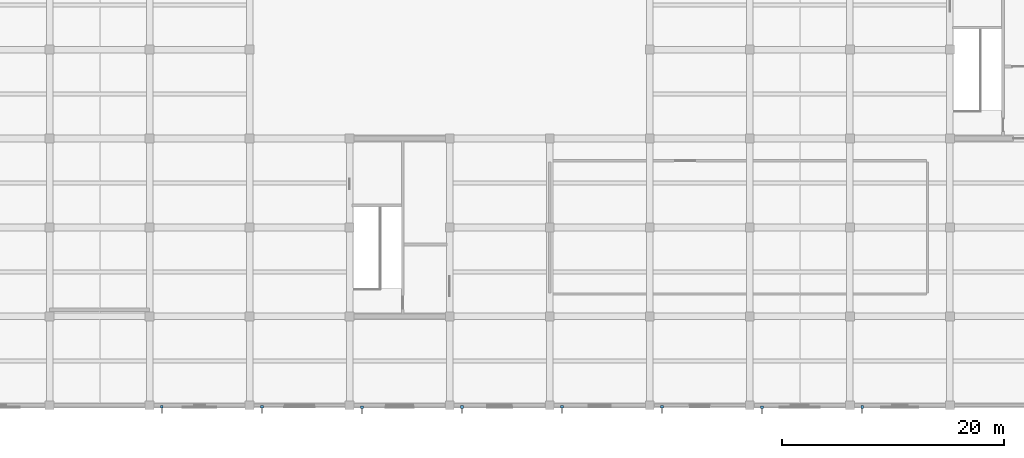
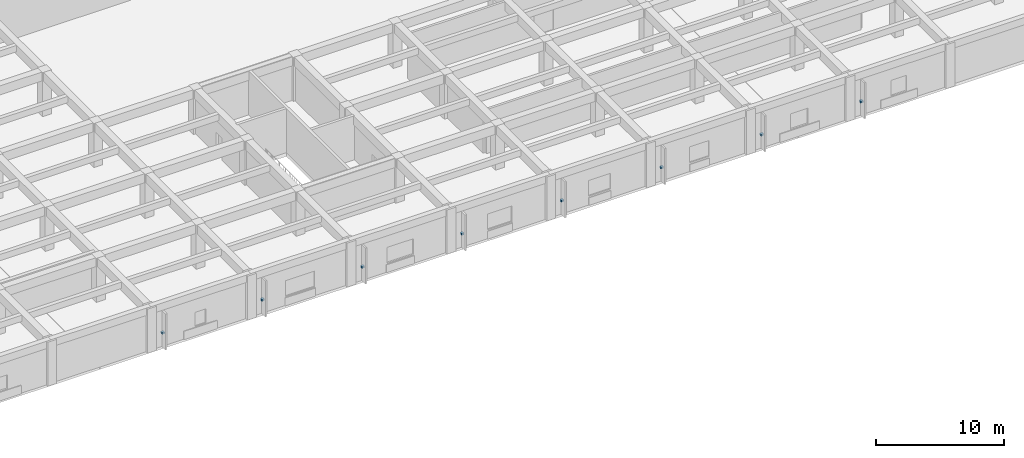
# One storey, part 22 of 32: 8 discrete accessories.
"""IFC4 building model written with IfcOpenShell, lengths in metres."""

import ifcopenshell
import ifcopenshell.guid

model = None  # the IFC model being written
_history = None  # IfcOwnerHistory: only IFC2X3 demands one
_inside = {}  # id of a spatial element -> (the spatial element, [elements in it])
_under = {}  # id of a project, library or spatial element -> (it, [spatial elements below it])
_declared = {}  # id of a project -> (the project, [libraries it declares])
_typed = {}  # id of a type object -> (the type object, [elements of that type])
_made_of = {}  # id of a material, layer set ... -> (it, [elements and type objects made of it])


def new_model(schema):
    """Start an empty IFC model of exactly this schema.

    Asked for "IFC4X3", IfcOpenShell would pick the latest addendum, in which some entities
    have other attributes; the version numbers below select the first issue.
    IFC2X3 requires an IfcOwnerHistory on every rooted entity: one is made here for all.
    """
    global model, _history
    if schema == "IFC4X3":
        model = ifcopenshell.file(schema_version=(4, 3, 0, 0))
    else:
        model = ifcopenshell.file(schema=schema)
    _inside.clear()
    _under.clear()
    _declared.clear()
    _typed.clear()
    _made_of.clear()
    _history = None
    if model.schema == "IFC2X3":
        org = make("IfcOrganization", Name="unknown")
        user = make(
            "IfcPersonAndOrganization",
            ThePerson=make("IfcPerson", FamilyName="unknown"),
            TheOrganization=org,
        )
        app = make(
            "IfcApplication",
            ApplicationDeveloper=org,
            Version="unknown",
            ApplicationFullName="unknown",
            ApplicationIdentifier="unknown",
        )
        _history = make(
            "IfcOwnerHistory",
            OwningUser=user,
            OwningApplication=app,
            ChangeAction="ADDED",
            CreationDate=0,
        )
    return model


def make(cls, **values):
    """One entity of the class cls with the attributes given. An attribute that is None is left unset."""
    return model.create_entity(
        cls, **{name: value for name, value in values.items() if value is not None}
    )


def rooted(cls, **values):
    """An entity with a GlobalId (a new one), such as an element, a storey or a relation."""
    return make(cls, GlobalId=ifcopenshell.guid.new(), OwnerHistory=_history, **values)


def si_unit(unit_type, name, prefix=None):
    """IfcSIUnit, for example si_unit("LENGTHUNIT", "METRE", prefix="MILLI")."""
    return make("IfcSIUnit", UnitType=unit_type, Prefix=prefix, Name=name)


def assignment(units):
    """IfcUnitAssignment: the units of a project."""
    return None if units is None else make("IfcUnitAssignment", Units=units)


def point(xyz):
    """IfcCartesianPoint."""
    return None if xyz is None else make("IfcCartesianPoint", Coordinates=xyz)


def direction(xyz):
    """IfcDirection."""
    return None if xyz is None else make("IfcDirection", DirectionRatios=xyz)


def frame(location, z_axis=None, x_axis=None):
    """IfcAxis2Placement3D, a coordinate frame: its origin and axes. An axis left out is left unset."""
    return make(
        "IfcAxis2Placement3D",
        Location=point(location),
        Axis=direction(z_axis),
        RefDirection=direction(x_axis),
    )


def frame_2d(location, x_axis=None):
    """IfcAxis2Placement2D, a coordinate frame in the plane: its origin and x axis."""
    return make(
        "IfcAxis2Placement2D", Location=point(location), RefDirection=direction(x_axis)
    )


def origin():
    """The frame at (0, 0, 0) with its axes left unset."""
    return frame((0.0, 0.0, 0.0))


def origin_2d():
    """The frame at (0, 0) in the plane with its x axis left unset."""
    return frame_2d((0.0, 0.0))


def place(relative_to, where):
    """IfcLocalPlacement: puts the frame where relative to a parent placement (None: the world)."""
    return make(
        "IfcLocalPlacement", PlacementRelTo=relative_to, RelativePlacement=where
    )


def context(
    kind, dimensions, precision=None, world=None, true_north=None, identifier=None
):
    """IfcGeometricRepresentationContext, for example the 3D "Model" context."""
    return make(
        "IfcGeometricRepresentationContext",
        ContextIdentifier=identifier,
        ContextType=kind,
        CoordinateSpaceDimension=dimensions,
        Precision=precision,
        WorldCoordinateSystem=world,
        TrueNorth=true_north,
    )


def subcontext(parent, identifier, kind, view, scale=None):
    """IfcGeometricRepresentationSubContext, for example "Body" below "Model"."""
    return make(
        "IfcGeometricRepresentationSubContext",
        ContextIdentifier=identifier,
        ContextType=kind,
        ParentContext=parent,
        TargetScale=scale,
        TargetView=view,
    )


def project(units=None, contexts=None):
    """IfcProject with its units and contexts."""
    return rooted(
        "IfcProject",
        Name="project",
        RepresentationContexts=contexts,
        UnitsInContext=assignment(units),
    )


def spatial(cls, under=None, at=None, **own):
    """A site, building, storey or space (cls), placed at a placement, below another one or the project."""
    s = rooted(cls, ObjectPlacement=at, **own)
    if under is not None:
        _under.setdefault(under.id(), (under, []))[1].append(s)
    return s


def profile(cls, at=None, kind="AREA", **sizes):
    """A parametric profile (cls). Its sizes go by their IFC names, for example OverallWidth=200.0."""
    return make(cls, ProfileType=kind, Position=at, **sizes)


def rectangle(**sizes):
    """IfcRectangleProfileDef."""
    return profile("IfcRectangleProfileDef", **sizes)


def extrude(swept, where, along, depth):
    """IfcExtrudedAreaSolid: the profile swept, set in the frame where, extruded along a direction by depth."""
    return make(
        "IfcExtrudedAreaSolid",
        SweptArea=swept,
        Position=where,
        ExtrudedDirection=direction(along),
        Depth=depth,
    )


def shape(context_of_items, identifier, shape_type, items):
    """IfcShapeRepresentation: the items that make up one representation, for example the "Body"."""
    return make(
        "IfcShapeRepresentation",
        ContextOfItems=context_of_items,
        RepresentationIdentifier=identifier,
        RepresentationType=shape_type,
        Items=items,
    )


def material(Name=None, Category=None):
    """IfcMaterial."""
    return make("IfcMaterial", Name=Name, Category=Category)


def layer(
    of_material, thickness, ventilated=None, Name=None, Category=None, Priority=None
):
    """IfcMaterialLayer: one layer of a wall or slab, of a material (None: an air gap)."""
    return make(
        "IfcMaterialLayer",
        Material=of_material,
        LayerThickness=thickness,
        IsVentilated=ventilated,
        Name=Name,
        Category=Category,
        Priority=Priority,
    )


def layer_set(layers, Name=None):
    """IfcMaterialLayerSet."""
    return make("IfcMaterialLayerSet", MaterialLayers=layers, LayerSetName=Name)


def made_of(thing, what):
    """Note that an element or type object is made of a material, layer set ...; save() writes the relation."""
    if what is not None:
        _made_of.setdefault(what.id(), (what, []))[1].append(thing)
    return thing


def type_object(cls, material=None, **own):
    """A type object (cls), such as IfcWallType, which elements share."""
    return made_of(rooted(cls, **own), material)


def element(
    cls,
    number,
    at=None,
    inside=None,
    cuts=None,
    type_object=None,
    material=None,
    context=None,
    identifier="Body",
    shape_type=None,
    held_by="IfcProductDefinitionShape",
    body=None,
    shapes=None,
    **own,
):
    """One element of the class cls, such as IfcWall. Its Tag is "e" and its number.

    at: its placement. inside: the storey or other place that contains it. cuts: it is an
    opening in that element (IfcRelVoidsElement). A single representation is given by context,
    identifier, shape_type and body (its items); several are given by shapes. held_by: the class
    of the entity that holds the representations. save() writes the other relations.
    """
    e = rooted(cls, Tag="e%d" % number, ObjectPlacement=at, **own)
    if body is not None:
        shapes = [shape(context, identifier, shape_type, body)]
    if shapes is not None:
        e.Representation = make(held_by, Representations=shapes)
    if inside is not None:
        _inside.setdefault(inside.id(), (inside, []))[1].append(e)
    if cuts is not None:
        rooted(
            "IfcRelVoidsElement", RelatingBuildingElement=cuts, RelatedOpeningElement=e
        )
    if type_object is not None:
        _typed.setdefault(type_object.id(), (type_object, []))[1].append(e)
    return made_of(e, material)


def aggregate(whole, parts):
    """IfcRelAggregates: a whole, such as a stair, and the parts it consists of."""
    return rooted("IfcRelAggregates", RelatingObject=whole, RelatedObjects=parts)


def save(model, path):
    """Write the relations noted so far, then the file.

    IfcRelAggregates (storeys below a building ...), IfcRelContainedInSpatialStructure (elements
    in a storey), IfcRelDefinesByType, IfcRelAssociatesMaterial and IfcRelDeclares: one each for
    every whole, place, type object, material and project.
    """
    for whole, parts in _under.values():
        aggregate(whole, parts)
    for where, things in _inside.values():
        rooted(
            "IfcRelContainedInSpatialStructure",
            RelatedElements=things,
            RelatingStructure=where,
        )
    for kind, things in _typed.values():
        rooted("IfcRelDefinesByType", RelatedObjects=things, RelatingType=kind)
    for what, things in _made_of.values():
        rooted("IfcRelAssociatesMaterial", RelatedObjects=things, RelatingMaterial=what)
    for by, libraries in _declared.values():
        rooted("IfcRelDeclares", RelatingContext=by, RelatedDefinitions=libraries)
    model.write(path)


model = new_model("IFC4")

# Units and contexts
model_context = context("Model", 3, precision=1e-05, world=origin(), true_north=direction((0.0, 1.0)))
body_context = subcontext(model_context, "Body", "Model", "MODEL_VIEW")
ifc_project = project(units=[si_unit("LENGTHUNIT", "METRE"), si_unit("AREAUNIT", "SQUARE_METRE"), si_unit("VOLUMEUNIT", "CUBIC_METRE"), si_unit("PLANEANGLEUNIT", "RADIAN"), si_unit("MASSUNIT", "GRAM", prefix="KILO")], contexts=[model_context])

# Site, building, storey
site_placement = place(None, origin())
site = spatial("IfcSite", under=ifc_project, at=site_placement, CompositionType="ELEMENT")
building_placement = place(site_placement, origin())
building = spatial("IfcBuilding", under=site, at=building_placement, Name="Zaverband Oceanarium and Marine Research Institute", CompositionType="ELEMENT")
storey_placement = place(building_placement, frame((0.0, 0.0, 13.5)))
storey = spatial("IfcBuildingStorey", under=building, at=storey_placement, Name="L03", CompositionType="ELEMENT", Elevation=13.5)

# Discrete accessories
ifc_material = material(Name="Steel S355", Category="steel")
ifc_layer = layer(ifc_material, 0.179931640625, Name="Steel S355")
ifc_layer_set = layer_set([ifc_layer], Name="Steel S355")
discrete_accessory_type = type_object("IfcDiscreteAccessoryType", Name="BRK-STL-200", PredefinedType="BRACKET", material=ifc_layer_set)
for number, where, z_axis, x_axis, name in (
    (1, (64.10498046875, -0.14501953125, 1.22021484375), (0.0, 0.0, 1.0), (1.0, 0.0, 0.0), "Galvanized steel facade fin structural bracket BRK-STL-200"),
    (2, (73.10498046875, -0.132568359375, 1.22021484375), (0.0, 0.0, 1.0), (1.0, 0.0, 0.0), "Galvanized steel facade fin structural bracket BRK-STL-200"),
    (3, (82.10498046875, -0.169921875, 1.22021484375), (0.0, 0.0, 1.0), (1.0, 0.0, 0.0), "Galvanized steel facade fin structural bracket BRK-STL-200"),
    (4, (91.10498046875, -0.155029296875, 1.22021484375), (0.0, 0.0, 1.0), (1.0, 0.0, 0.0), "Galvanized steel facade fin structural bracket BRK-STL-200"),
    (5, (100.10498046875, -0.14501953125, 1.22021484375), (0.0, 0.0, 1.0), (1.0, 0.0, 0.0), "Galvanized steel facade fin structural bracket BRK-STL-200"),
    (6, (109.10498046875, -0.132568359375, 1.22021484375), (0.0, 0.0, 1.0), (1.0, 0.0, 0.0), "Galvanized steel facade fin structural bracket BRK-STL-200"),
    (7, (118.10498046875, -0.169921875, 1.22021484375), (0.0, 0.0, 1.0), (1.0, 0.0, 0.0), "Galvanized steel facade fin structural bracket BRK-STL-200"),
    (8, (127.10498046875, -0.155029296875, 1.22021484375), (0.0, 0.0, 1.0), (1.0, 0.0, 0.0), "Galvanized steel facade fin structural bracket BRK-STL-200"),
):
    element("IfcDiscreteAccessory", number, at=place(storey_placement, frame(where, z_axis=z_axis, x_axis=x_axis)), inside=storey, type_object=discrete_accessory_type, Name=name, PredefinedType="BRACKET", context=body_context, shape_type="SweptSolid", body=[
        extrude(rectangle(XDim=0.239990234375, YDim=0.239990234375, at=origin_2d()), origin(), (0.0, 0.0, 1.0), 0.179931640625),
    ])

save(model, "model.ifc")
